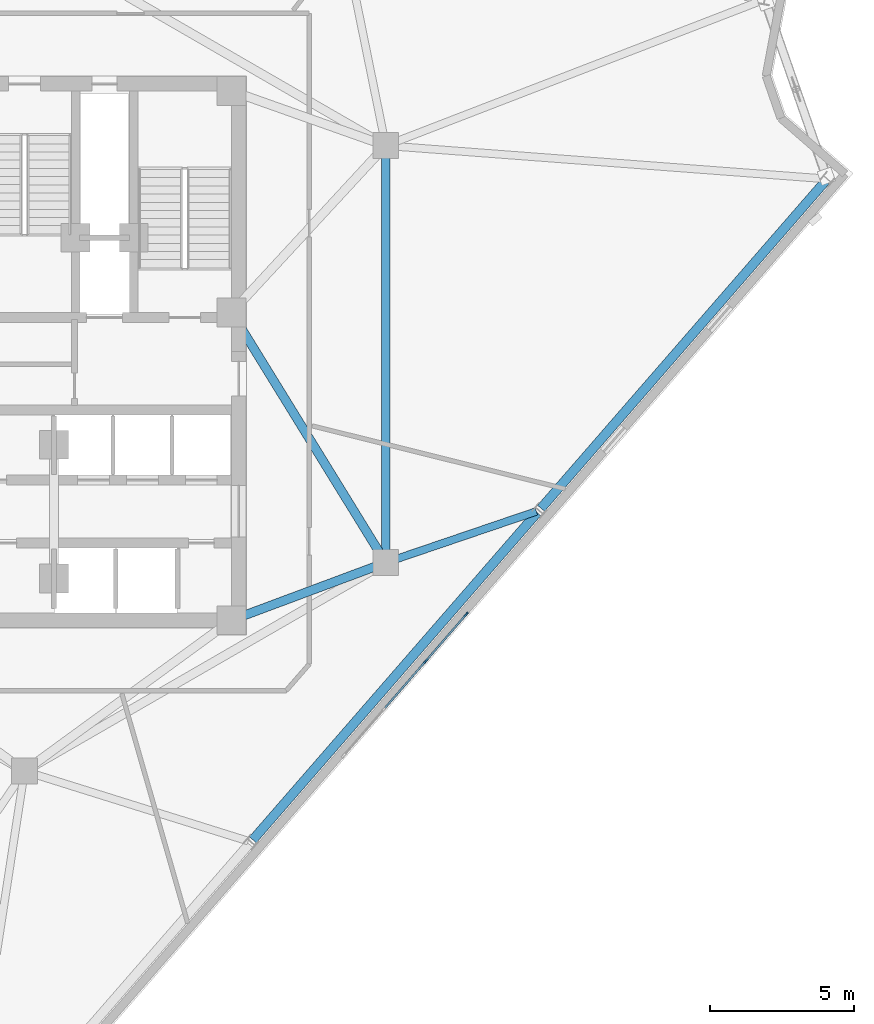
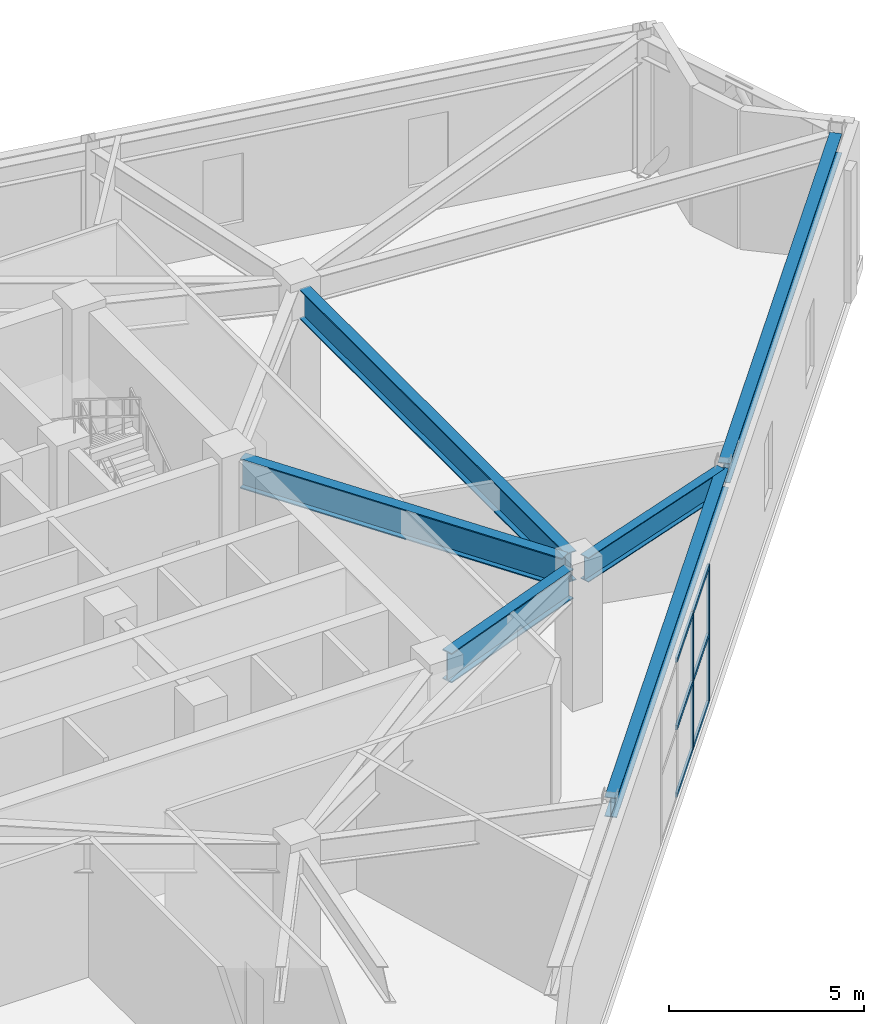
# One storey, part 5 of 15: 8 members, 6 beams, 1 element without a shape of its own.
"""IFC4 building model written with IfcOpenShell, lengths in metres."""

import ifcopenshell
import ifcopenshell.guid

model = None  # the IFC model being written
_history = None  # IfcOwnerHistory: only IFC2X3 demands one
_inside = {}  # id of a spatial element -> (the spatial element, [elements in it])
_under = {}  # id of a project, library or spatial element -> (it, [spatial elements below it])
_declared = {}  # id of a project -> (the project, [libraries it declares])
_typed = {}  # id of a type object -> (the type object, [elements of that type])
_made_of = {}  # id of a material, layer set ... -> (it, [elements and type objects made of it])


def new_model(schema):
    """Start an empty IFC model of exactly this schema.

    Asked for "IFC4X3", IfcOpenShell would pick the latest addendum, in which some entities
    have other attributes; the version numbers below select the first issue.
    IFC2X3 requires an IfcOwnerHistory on every rooted entity: one is made here for all.
    """
    global model, _history
    if schema == "IFC4X3":
        model = ifcopenshell.file(schema_version=(4, 3, 0, 0))
    else:
        model = ifcopenshell.file(schema=schema)
    _inside.clear()
    _under.clear()
    _declared.clear()
    _typed.clear()
    _made_of.clear()
    _history = None
    if model.schema == "IFC2X3":
        org = make("IfcOrganization", Name="unknown")
        user = make(
            "IfcPersonAndOrganization",
            ThePerson=make("IfcPerson", FamilyName="unknown"),
            TheOrganization=org,
        )
        app = make(
            "IfcApplication",
            ApplicationDeveloper=org,
            Version="unknown",
            ApplicationFullName="unknown",
            ApplicationIdentifier="unknown",
        )
        _history = make(
            "IfcOwnerHistory",
            OwningUser=user,
            OwningApplication=app,
            ChangeAction="ADDED",
            CreationDate=0,
        )
    return model


def make(cls, **values):
    """One entity of the class cls with the attributes given. An attribute that is None is left unset."""
    return model.create_entity(
        cls, **{name: value for name, value in values.items() if value is not None}
    )


def rooted(cls, **values):
    """An entity with a GlobalId (a new one), such as an element, a storey or a relation."""
    return make(cls, GlobalId=ifcopenshell.guid.new(), OwnerHistory=_history, **values)


def si_unit(unit_type, name, prefix=None):
    """IfcSIUnit, for example si_unit("LENGTHUNIT", "METRE", prefix="MILLI")."""
    return make("IfcSIUnit", UnitType=unit_type, Prefix=prefix, Name=name)


def assignment(units):
    """IfcUnitAssignment: the units of a project."""
    return None if units is None else make("IfcUnitAssignment", Units=units)


def point(xyz):
    """IfcCartesianPoint."""
    return None if xyz is None else make("IfcCartesianPoint", Coordinates=xyz)


def direction(xyz):
    """IfcDirection."""
    return None if xyz is None else make("IfcDirection", DirectionRatios=xyz)


def frame(location, z_axis=None, x_axis=None):
    """IfcAxis2Placement3D, a coordinate frame: its origin and axes. An axis left out is left unset."""
    return make(
        "IfcAxis2Placement3D",
        Location=point(location),
        Axis=direction(z_axis),
        RefDirection=direction(x_axis),
    )


def frame_2d(location, x_axis=None):
    """IfcAxis2Placement2D, a coordinate frame in the plane: its origin and x axis."""
    return make(
        "IfcAxis2Placement2D", Location=point(location), RefDirection=direction(x_axis)
    )


def origin():
    """The frame at (0, 0, 0) with its axes left unset."""
    return frame((0.0, 0.0, 0.0))


def origin_2d():
    """The frame at (0, 0) in the plane with its x axis left unset."""
    return frame_2d((0.0, 0.0))


def place(relative_to, where):
    """IfcLocalPlacement: puts the frame where relative to a parent placement (None: the world)."""
    return make(
        "IfcLocalPlacement", PlacementRelTo=relative_to, RelativePlacement=where
    )


def context(
    kind, dimensions, precision=None, world=None, true_north=None, identifier=None
):
    """IfcGeometricRepresentationContext, for example the 3D "Model" context."""
    return make(
        "IfcGeometricRepresentationContext",
        ContextIdentifier=identifier,
        ContextType=kind,
        CoordinateSpaceDimension=dimensions,
        Precision=precision,
        WorldCoordinateSystem=world,
        TrueNorth=true_north,
    )


def subcontext(parent, identifier, kind, view, scale=None):
    """IfcGeometricRepresentationSubContext, for example "Body" below "Model"."""
    return make(
        "IfcGeometricRepresentationSubContext",
        ContextIdentifier=identifier,
        ContextType=kind,
        ParentContext=parent,
        TargetScale=scale,
        TargetView=view,
    )


def project(units=None, contexts=None):
    """IfcProject with its units and contexts."""
    return rooted(
        "IfcProject",
        Name="project",
        RepresentationContexts=contexts,
        UnitsInContext=assignment(units),
    )


def spatial(cls, under=None, at=None, **own):
    """A site, building, storey or space (cls), placed at a placement, below another one or the project."""
    s = rooted(cls, ObjectPlacement=at, **own)
    if under is not None:
        _under.setdefault(under.id(), (under, []))[1].append(s)
    return s


def profile(cls, at=None, kind="AREA", **sizes):
    """A parametric profile (cls). Its sizes go by their IFC names, for example OverallWidth=200.0."""
    return make(cls, ProfileType=kind, Position=at, **sizes)


def rectangle(**sizes):
    """IfcRectangleProfileDef."""
    return profile("IfcRectangleProfileDef", **sizes)


def i_section(**sizes):
    """IfcIShapeProfileDef."""
    return profile("IfcIShapeProfileDef", **sizes)


def extrude(swept, where, along, depth):
    """IfcExtrudedAreaSolid: the profile swept, set in the frame where, extruded along a direction by depth."""
    return make(
        "IfcExtrudedAreaSolid",
        SweptArea=swept,
        Position=where,
        ExtrudedDirection=direction(along),
        Depth=depth,
    )


def shape(context_of_items, identifier, shape_type, items):
    """IfcShapeRepresentation: the items that make up one representation, for example the "Body"."""
    return make(
        "IfcShapeRepresentation",
        ContextOfItems=context_of_items,
        RepresentationIdentifier=identifier,
        RepresentationType=shape_type,
        Items=items,
    )


def material(Name=None, Category=None):
    """IfcMaterial."""
    return make("IfcMaterial", Name=Name, Category=Category)


def layer(
    of_material, thickness, ventilated=None, Name=None, Category=None, Priority=None
):
    """IfcMaterialLayer: one layer of a wall or slab, of a material (None: an air gap)."""
    return make(
        "IfcMaterialLayer",
        Material=of_material,
        LayerThickness=thickness,
        IsVentilated=ventilated,
        Name=Name,
        Category=Category,
        Priority=Priority,
    )


def layer_set(layers, Name=None):
    """IfcMaterialLayerSet."""
    return make("IfcMaterialLayerSet", MaterialLayers=layers, LayerSetName=Name)


def material_profile(
    of_material, cross_section, Name=None, Category=None, Priority=None
):
    """IfcMaterialProfile: a cross section and its material."""
    return make(
        "IfcMaterialProfile",
        Name=Name,
        Material=of_material,
        Profile=cross_section,
        Priority=Priority,
        Category=Category,
    )


def profile_set(profiles, Name=None, composite=None):
    """IfcMaterialProfileSet."""
    return make(
        "IfcMaterialProfileSet",
        Name=Name,
        MaterialProfiles=profiles,
        CompositeProfile=composite,
    )


def made_of(thing, what):
    """Note that an element or type object is made of a material, layer set ...; save() writes the relation."""
    if what is not None:
        _made_of.setdefault(what.id(), (what, []))[1].append(thing)
    return thing


def type_object(cls, material=None, **own):
    """A type object (cls), such as IfcWallType, which elements share."""
    return made_of(rooted(cls, **own), material)


def element(
    cls,
    number,
    at=None,
    inside=None,
    cuts=None,
    type_object=None,
    material=None,
    context=None,
    identifier="Body",
    shape_type=None,
    held_by="IfcProductDefinitionShape",
    body=None,
    shapes=None,
    **own,
):
    """One element of the class cls, such as IfcWall. Its Tag is "e" and its number.

    at: its placement. inside: the storey or other place that contains it. cuts: it is an
    opening in that element (IfcRelVoidsElement). A single representation is given by context,
    identifier, shape_type and body (its items); several are given by shapes. held_by: the class
    of the entity that holds the representations. save() writes the other relations.
    """
    e = rooted(cls, Tag="e%d" % number, ObjectPlacement=at, **own)
    if body is not None:
        shapes = [shape(context, identifier, shape_type, body)]
    if shapes is not None:
        e.Representation = make(held_by, Representations=shapes)
    if inside is not None:
        _inside.setdefault(inside.id(), (inside, []))[1].append(e)
    if cuts is not None:
        rooted(
            "IfcRelVoidsElement", RelatingBuildingElement=cuts, RelatedOpeningElement=e
        )
    if type_object is not None:
        _typed.setdefault(type_object.id(), (type_object, []))[1].append(e)
    return made_of(e, material)


def aggregate(whole, parts):
    """IfcRelAggregates: a whole, such as a stair, and the parts it consists of."""
    return rooted("IfcRelAggregates", RelatingObject=whole, RelatedObjects=parts)


def save(model, path):
    """Write the relations noted so far, then the file.

    IfcRelAggregates (storeys below a building ...), IfcRelContainedInSpatialStructure (elements
    in a storey), IfcRelDefinesByType, IfcRelAssociatesMaterial and IfcRelDeclares: one each for
    every whole, place, type object, material and project.
    """
    for whole, parts in _under.values():
        aggregate(whole, parts)
    for where, things in _inside.values():
        rooted(
            "IfcRelContainedInSpatialStructure",
            RelatedElements=things,
            RelatingStructure=where,
        )
    for kind, things in _typed.values():
        rooted("IfcRelDefinesByType", RelatedObjects=things, RelatingType=kind)
    for what, things in _made_of.values():
        rooted("IfcRelAssociatesMaterial", RelatedObjects=things, RelatingMaterial=what)
    for by, libraries in _declared.values():
        rooted("IfcRelDeclares", RelatingContext=by, RelatedDefinitions=libraries)
    model.write(path)


model = new_model("IFC4")

# Units and contexts
model_context = context("Model", 3, precision=1e-05, world=origin(), true_north=direction((0.0, 1.0)))
body_context = subcontext(model_context, "Body", "Model", "MODEL_VIEW")
ifc_project = project(units=[si_unit("LENGTHUNIT", "METRE"), si_unit("AREAUNIT", "SQUARE_METRE"), si_unit("VOLUMEUNIT", "CUBIC_METRE"), si_unit("PLANEANGLEUNIT", "RADIAN"), si_unit("MASSUNIT", "GRAM", prefix="KILO")], contexts=[model_context])

# Site, building, storey
site_placement = place(None, origin())
site = spatial("IfcSite", under=ifc_project, at=site_placement, CompositionType="ELEMENT")
building_placement = place(site_placement, origin())
building = spatial("IfcBuilding", under=site, at=building_placement, Name="Apsidion Concourse Tower", CompositionType="ELEMENT")
storey_placement = place(building_placement, frame((0.0, 0.0, 260.89990234375)))
storey = spatial("IfcBuildingStorey", under=building, at=storey_placement, Name="L61", CompositionType="ELEMENT", Elevation=260.89990234375)

# Beams
ifc_material_1 = material(Name="Structural steel ASTM A992 Grade 50", Category="steel")
ifc_material_profile_1 = material_profile(ifc_material_1, i_section(OverallWidth=0.31005859375, OverallDepth=0.931884765625, WebThickness=0.02099609375, FlangeThickness=0.034423828125, at=origin_2d()), Name="W36X210")
ifc_profile_set_1 = profile_set([ifc_material_profile_1], Name="Structural steel ASTM A992 Grade 50")
beam_type_1 = type_object("IfcBeamType", Name="BM-G-W36", PredefinedType="USERDEFINED", material=ifc_profile_set_1)
beam_1_placement = place(storey_placement, frame((12.185302734375, -7.389892578125, 3.884033203125), z_axis=(-0.936913021145, -0.349562570664, 0.0), x_axis=(0.349562570664, -0.936913021145, 0.0)))
element("IfcBeam", 1, at=beam_1_placement, inside=storey, type_object=beam_type_1, Name="L61 Core Coupling Girder IC2-SC2", ObjectType="GIRDER", PredefinedType="USERDEFINED", context=body_context, shape_type="SweptSolid", body=[
    extrude(i_section(OverallWidth=0.31005859375, OverallDepth=0.931884765625, WebThickness=0.02099609375, FlangeThickness=0.034423828125, at=origin_2d()), origin(), (0.0, 0.0, 1.0), 4.921142578125),
])
beam_2_placement = place(storey_placement, frame((12.35009765625, -6.909423828125, 3.884033203125), z_axis=(-0.524524009763, 0.851395656074, 0.0), x_axis=(-0.851395656074, -0.524524009763, 0.0)))
element("IfcBeam", 2, at=beam_2_placement, inside=storey, type_object=beam_type_1, Name="L61 Core Coupling Girder IC2-SC3", ObjectType="GIRDER", PredefinedType="USERDEFINED", context=body_context, shape_type="SweptSolid", body=[
    extrude(i_section(OverallWidth=0.31005859375, OverallDepth=0.931884765625, WebThickness=0.02099609375, FlangeThickness=0.034423828125, at=origin_2d()), origin(), (0.0, 0.0, 1.0), 9.41845703125),
])
beam_3_placement = place(storey_placement, frame((12.56005859375, 6.85009765625, 3.884033203125), z_axis=(0.0, -1.0, 0.0), x_axis=(1.0, 0.0, 0.0)))
element("IfcBeam", 3, at=beam_3_placement, inside=storey, type_object=beam_type_1, Name="L61 Core Coupling Girder IC3-IC2", ObjectType="GIRDER", PredefinedType="USERDEFINED", context=body_context, shape_type="SweptSolid", body=[
    extrude(i_section(OverallWidth=0.31005859375, OverallDepth=0.931884765625, WebThickness=0.02099609375, FlangeThickness=0.034423828125, at=origin_2d()), origin(), (0.0, 0.0, 1.0), 13.7001953125),
])
ifc_material_profile_2 = material_profile(ifc_material_1, i_section(OverallWidth=0.324951171875, OverallDepth=0.616943359375, WebThickness=0.013916015625, FlangeThickness=0.021484375, at=origin_2d()), Name="W24X117")
ifc_profile_set_2 = profile_set([ifc_material_profile_2], Name="Structural steel ASTM A992 Grade 50")
beam_type_2 = type_object("IfcBeamType", Name="BM-SP-W24", PredefinedType="SPANDREL", material=ifc_profile_set_2)
for number, where, z_axis, x_axis, name in (
    (4, (7.939208984375, -16.8876953125, 4.04150390625), (0.656074851848, 0.754695825332, 0.0), (-0.754695825332, 0.656074851848, 0.0), "L61 Perimeter Spandrel Girder SP-06"),
    (5, (17.959716796875, -5.360595703125, 4.04150390625), (0.656065626683, 0.754703844885, 0.0), (-0.754703844885, 0.656065626683, 0.0), "L61 Perimeter Spandrel Girder SP-07"),
):
    element("IfcBeam", number, at=place(storey_placement, frame(where, z_axis=z_axis, x_axis=x_axis)), inside=storey, type_object=beam_type_2, Name=name, PredefinedType="SPANDREL", context=body_context, shape_type="SweptSolid", body=[
        extrude(i_section(OverallWidth=0.324951171875, OverallDepth=0.616943359375, WebThickness=0.013916015625, FlangeThickness=0.021484375, at=origin_2d()), origin(), (0.0, 0.0, 1.0), 15.073486328125),
    ])
ifc_material_profile_3 = material_profile(ifc_material_1, i_section(OverallWidth=0.26806640625, OverallDepth=0.77001953125, WebThickness=0.015625, FlangeThickness=0.025390625, at=origin_2d()), Name="W30X132")
ifc_profile_set_3 = profile_set([ifc_material_profile_3], Name="Structural steel ASTM A992 Grade 50")
beam_type_3 = type_object("IfcBeamType", Name="BM-SP-W30", PredefinedType="SPANDREL", material=ifc_profile_set_3)
beam_4_placement = place(storey_placement, frame((12.768310546875, -7.17919921875, 3.965087890625), z_axis=(0.946764063089, 0.321928266612, 0.0), x_axis=(-0.321928266612, 0.946764063089, 0.0)))
element("IfcBeam", 6, at=beam_4_placement, inside=storey, type_object=beam_type_3, Name="L61 Radial Floor Girder RAD-07", PredefinedType="SPANDREL", context=body_context, shape_type="SweptSolid", body=[
    extrude(i_section(OverallWidth=0.26806640625, OverallDepth=0.77001953125, WebThickness=0.015625, FlangeThickness=0.025390625, at=origin_2d()), origin(), (0.0, 0.0, 1.0), 5.31396484375),
])

# Curtain wall, members
ifc_material_2 = material(Name="Insulated laminated low-E glass", Category="glass")
ifc_layer = layer(ifc_material_2, 0.2099609375)
ifc_layer_set = layer_set([ifc_layer], Name="Insulated laminated low-E glass")
curtain_wall_type = type_object("IfcCurtainWallType", Name="CW-SYS-03", PredefinedType="NOTDEFINED", material=ifc_layer_set)
curtain_wall_placement = place(storey_placement, origin())
curtain_wall = element("IfcCurtainWall", 7, at=curtain_wall_placement, inside=storey, type_object=curtain_wall_type, Name="L61 Sky Lobby Curtain Wall 5", PredefinedType="NOTDEFINED")
ifc_material_3 = material(Name="Anodised aluminium EN AW-6063 T6", Category="aluminium")
ifc_material_profile_4 = material_profile(ifc_material_3, rectangle(XDim=0.06494140625, YDim=0.179931640625, at=origin_2d()), Name="ALU MULLION 65x180")
ifc_profile_set_4 = profile_set([ifc_material_profile_4], Name="Anodised aluminium EN AW-6063 T6")
member_type_1 = type_object("IfcMemberType", Name="CWM-65X180", PredefinedType="MULLION", material=ifc_profile_set_4)
member_1_placement = place(storey_placement, frame((15.36328125, -9.04833984375, 0.0), z_axis=(0.0, 0.0, 1.0), x_axis=(0.754709784933, -0.656058793498, 0.0)))
member_1 = element("IfcMember", 8, at=member_1_placement, type_object=member_type_1, Name="CW-03 mullion 1", PredefinedType="MULLION", context=body_context, shape_type="SweptSolid", body=[
    extrude(rectangle(XDim=0.06494140625, YDim=0.179931640625, at=origin_2d()), origin(), (0.0, 0.0, 1.0), 4.300048828125),
])
member_2_placement = place(storey_placement, frame((13.948974609375, -10.675537109375, 0.0), z_axis=(0.0, 0.0, 1.0), x_axis=(0.754709784933, -0.656058793498, 0.0)))
member_2 = element("IfcMember", 9, at=member_2_placement, type_object=member_type_1, Name="CW-03 mullion 2", PredefinedType="MULLION", context=body_context, shape_type="SweptSolid", body=[
    extrude(rectangle(XDim=0.06494140625, YDim=0.179931640625, at=origin_2d()), origin(), (0.0, 0.0, 1.0), 4.300048828125),
])
ifc_material_profile_5 = material_profile(ifc_material_3, rectangle(XDim=0.06494140625, YDim=0.139892578125, at=origin_2d()), Name="ALU TRANSOM 65x140")
ifc_profile_set_5 = profile_set([ifc_material_profile_5], Name="Anodised aluminium EN AW-6063 T6")
member_type_2 = type_object("IfcMemberType", Name="CWT-65X140", PredefinedType="USERDEFINED", material=ifc_profile_set_5)
member_3_placement = place(storey_placement, frame((15.342041015625, -9.072998046875, 0.03271484375), z_axis=(-0.656054408806, -0.754713596463, 0.0), x_axis=(0.754713596463, -0.656054408806, 0.0)))
member_3 = element("IfcMember", 10, at=member_3_placement, type_object=member_type_2, Name="CW-03 transom 1.1", ObjectType="TRANSOM", PredefinedType="USERDEFINED", context=body_context, shape_type="SweptSolid", body=[
    extrude(rectangle(XDim=0.06494140625, YDim=0.139892578125, at=origin_2d()), origin(), (0.0, 0.0, 1.0), 2.091064453125),
])
member_4_placement = place(storey_placement, frame((15.342041015625, -9.072998046875, 2.150146484375), z_axis=(-0.656054408806, -0.754713596463, 0.0), x_axis=(0.754713596463, -0.656054408806, 0.0)))
member_4 = element("IfcMember", 11, at=member_4_placement, type_object=member_type_2, Name="CW-03 transom 1.2", ObjectType="TRANSOM", PredefinedType="USERDEFINED", context=body_context, shape_type="SweptSolid", body=[
    extrude(rectangle(XDim=0.06494140625, YDim=0.139892578125, at=origin_2d()), origin(), (0.0, 0.0, 1.0), 2.091064453125),
])
member_5_placement = place(storey_placement, frame((15.342041015625, -9.072998046875, 4.267578125), z_axis=(-0.656054408806, -0.754713596463, 0.0), x_axis=(0.754713596463, -0.656054408806, 0.0)))
member_5 = element("IfcMember", 12, at=member_5_placement, type_object=member_type_2, Name="CW-03 transom 1.3", ObjectType="TRANSOM", PredefinedType="USERDEFINED", context=body_context, shape_type="SweptSolid", body=[
    extrude(rectangle(XDim=0.06494140625, YDim=0.139892578125, at=origin_2d()), origin(), (0.0, 0.0, 1.0), 2.091064453125),
])
member_6_placement = place(storey_placement, frame((13.927490234375, -10.7001953125, 0.03271484375), z_axis=(-0.656059150341, -0.754709474735, 0.0), x_axis=(0.754709474735, -0.656059150341, 0.0)))
member_6 = element("IfcMember", 13, at=member_6_placement, type_object=member_type_2, Name="CW-03 transom 2.1", ObjectType="TRANSOM", PredefinedType="USERDEFINED", context=body_context, shape_type="SweptSolid", body=[
    extrude(rectangle(XDim=0.06494140625, YDim=0.139892578125, at=origin_2d()), origin(), (0.0, 0.0, 1.0), 2.123291015625),
])
member_7_placement = place(storey_placement, frame((13.927490234375, -10.7001953125, 2.150146484375), z_axis=(-0.656059150341, -0.754709474735, 0.0), x_axis=(0.754709474735, -0.656059150341, 0.0)))
member_7 = element("IfcMember", 14, at=member_7_placement, type_object=member_type_2, Name="CW-03 transom 2.2", ObjectType="TRANSOM", PredefinedType="USERDEFINED", context=body_context, shape_type="SweptSolid", body=[
    extrude(rectangle(XDim=0.06494140625, YDim=0.139892578125, at=origin_2d()), origin(), (0.0, 0.0, 1.0), 2.123291015625),
])
member_8_placement = place(storey_placement, frame((13.927490234375, -10.7001953125, 4.267578125), z_axis=(-0.656059150341, -0.754709474735, 0.0), x_axis=(0.754709474735, -0.656059150341, 0.0)))
member_8 = element("IfcMember", 15, at=member_8_placement, type_object=member_type_2, Name="CW-03 transom 2.3", ObjectType="TRANSOM", PredefinedType="USERDEFINED", context=body_context, shape_type="SweptSolid", body=[
    extrude(rectangle(XDim=0.06494140625, YDim=0.139892578125, at=origin_2d()), origin(), (0.0, 0.0, 1.0), 2.123291015625),
])
aggregate(curtain_wall, [member_1, member_2, member_3, member_4, member_5, member_6, member_7, member_8])

save(model, "model.ifc")
